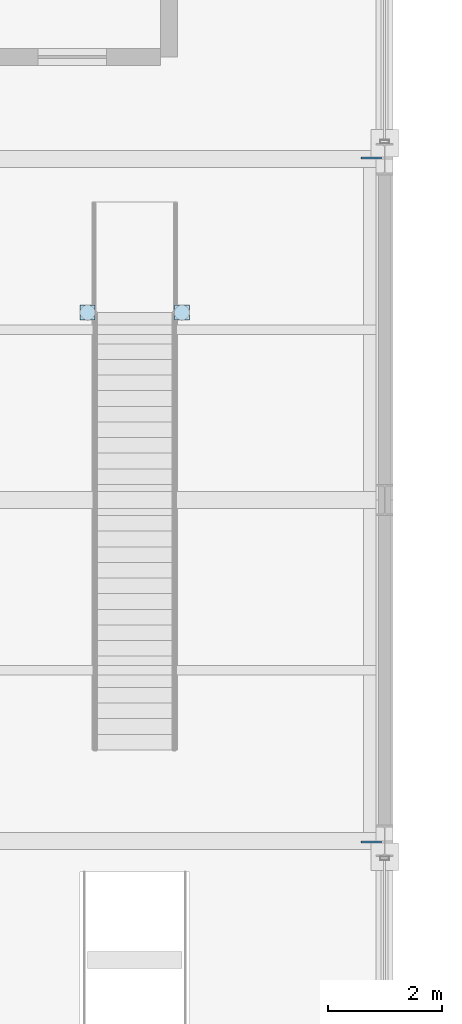
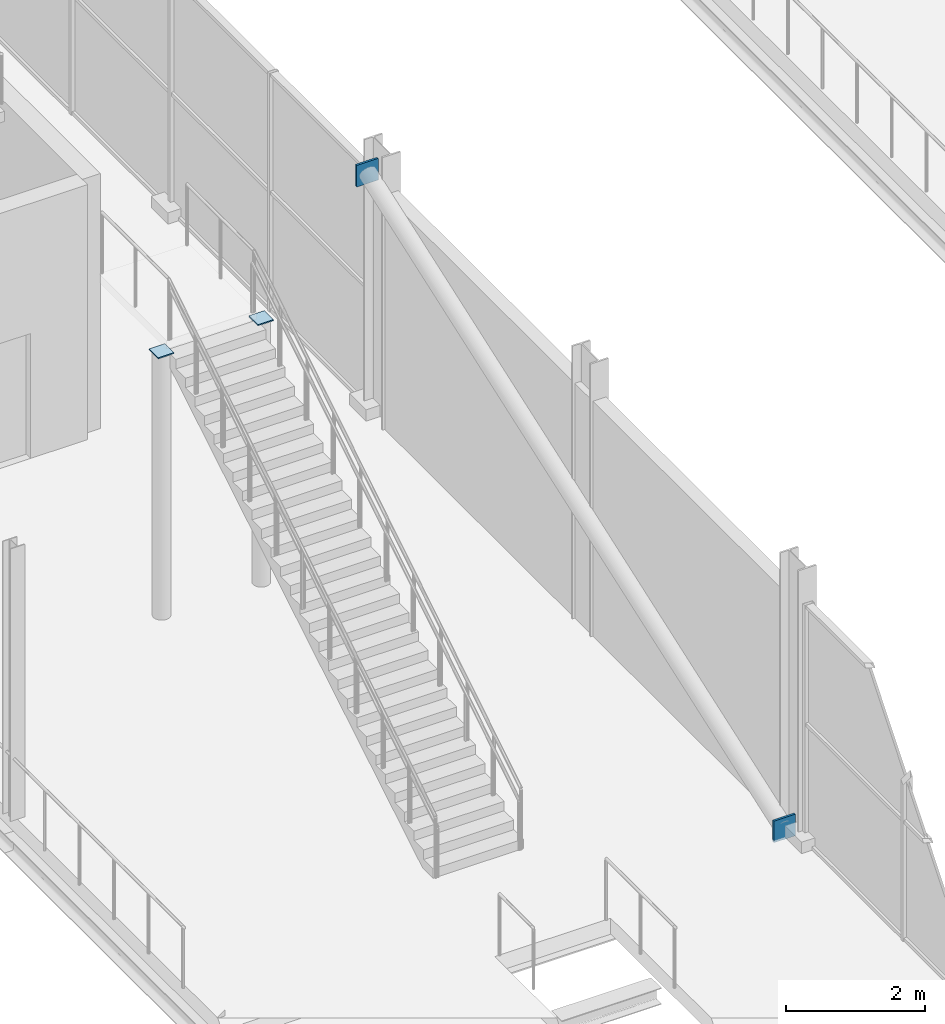
# One storey, part 130 of 159: 4 plates.
"""IFC4 building model written with IfcOpenShell, lengths in metres."""

from ifc_helpers import new_model, si_unit, direction, frame, origin, origin_2d, place, context, subcontext, project, spatial, rectangle, extrude, material, layer, layer_set, type_object, element, save


model = new_model("IFC4")

# Units and contexts
model_context = context("Model", 3, precision=1e-05, world=origin(), true_north=direction((0.0, 1.0)))
body_context = subcontext(model_context, "Body", "Model", "MODEL_VIEW")
ifc_project = project(units=[si_unit("LENGTHUNIT", "METRE"), si_unit("AREAUNIT", "SQUARE_METRE"), si_unit("VOLUMEUNIT", "CUBIC_METRE"), si_unit("PLANEANGLEUNIT", "RADIAN"), si_unit("MASSUNIT", "GRAM", prefix="KILO")], contexts=[model_context])

# Site, building, storey
site_placement = place(None, origin())
site = spatial("IfcSite", under=ifc_project, at=site_placement, CompositionType="ELEMENT")
building_placement = place(site_placement, origin())
building = spatial("IfcBuilding", under=site, at=building_placement, Name="Merenkruunu Market Hall", CompositionType="ELEMENT")
storey_placement = place(building_placement, frame((0.0, 0.0, 5.39990234375)))
storey = spatial("IfcBuildingStorey", under=building, at=storey_placement, Name="L01", CompositionType="ELEMENT", Elevation=5.39990234375)

# Plates
ifc_material = material(Name="Steel S355ML", Category="steel")
ifc_layer_1 = layer(ifc_material, 0.02001953125)
ifc_layer_set_1 = layer_set([ifc_layer_1], Name="Steel S355ML")
plate_type_1 = type_object("IfcPlateType", Name="Truss Gusset Or Cap Plate CP04", PredefinedType="USERDEFINED", material=ifc_layer_set_1)
for number, where, z_axis, x_axis, name in (
    (1, (52.3701171875, 48.89990234375, 4.630126953125), (0.0, 0.0, 1.0), (1.0, 0.0, 0.0), "PLT-FST-CAP-5-1"),
    (2, (54.030029296875, 48.89990234375, 4.630126953125), (0.0, 0.0, 1.0), (1.0, 0.0, 0.0), "PLT-FST-CAP-5-2"),
):
    element("IfcPlate", number, at=place(storey_placement, frame(where, z_axis=z_axis, x_axis=x_axis)), inside=storey, type_object=plate_type_1, Name=name, ObjectType="GUSSET_PLATE", PredefinedType="USERDEFINED", context=body_context, shape_type="SweptSolid", body=[
        extrude(rectangle(XDim=0.260009765625, YDim=0.260009765625, at=origin_2d()), origin(), (0.0, 0.0, 1.0), 0.02001953125),
    ])
ifc_layer_2 = layer(ifc_material, 0.035888671875)
ifc_layer_set_2 = layer_set([ifc_layer_2], Name="Steel S355ML")
plate_type_2 = type_object("IfcPlateType", Name="Truss Gusset Or Cap Plate CP08", PredefinedType="USERDEFINED", material=ifc_layer_set_2)
for number, where, z_axis, x_axis, name in (
    (3, (57.360107421875, 39.58203125, -0.039794921875), (0.0, 0.0, 1.0), (1.0, 0.0, 0.0), "PLT-CBF06-A"),
    (4, (57.360107421875, 51.617919921875, 4.210205078125), (0.0, 0.0, 1.0), (1.0, 0.0, 0.0), "PLT-CBF06-B"),
):
    element("IfcPlate", number, at=place(storey_placement, frame(where, z_axis=z_axis, x_axis=x_axis)), inside=storey, type_object=plate_type_2, Name=name, ObjectType="GUSSET_PLATE", PredefinedType="USERDEFINED", context=body_context, shape_type="SweptSolid", body=[
        extrude(rectangle(XDim=0.360107421875, YDim=0.035888671875, at=origin_2d()), origin(), (0.0, 0.0, 1.0), 0.3798828125),
    ])

save(model, "model.ifc")
